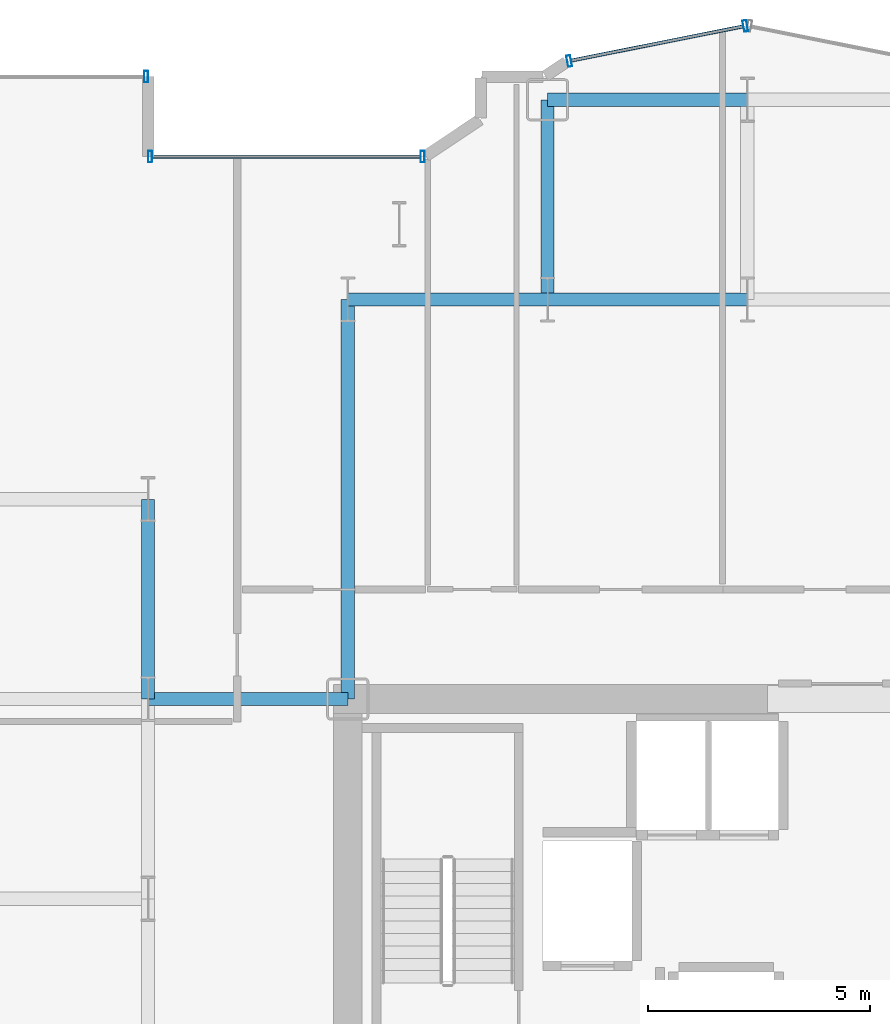
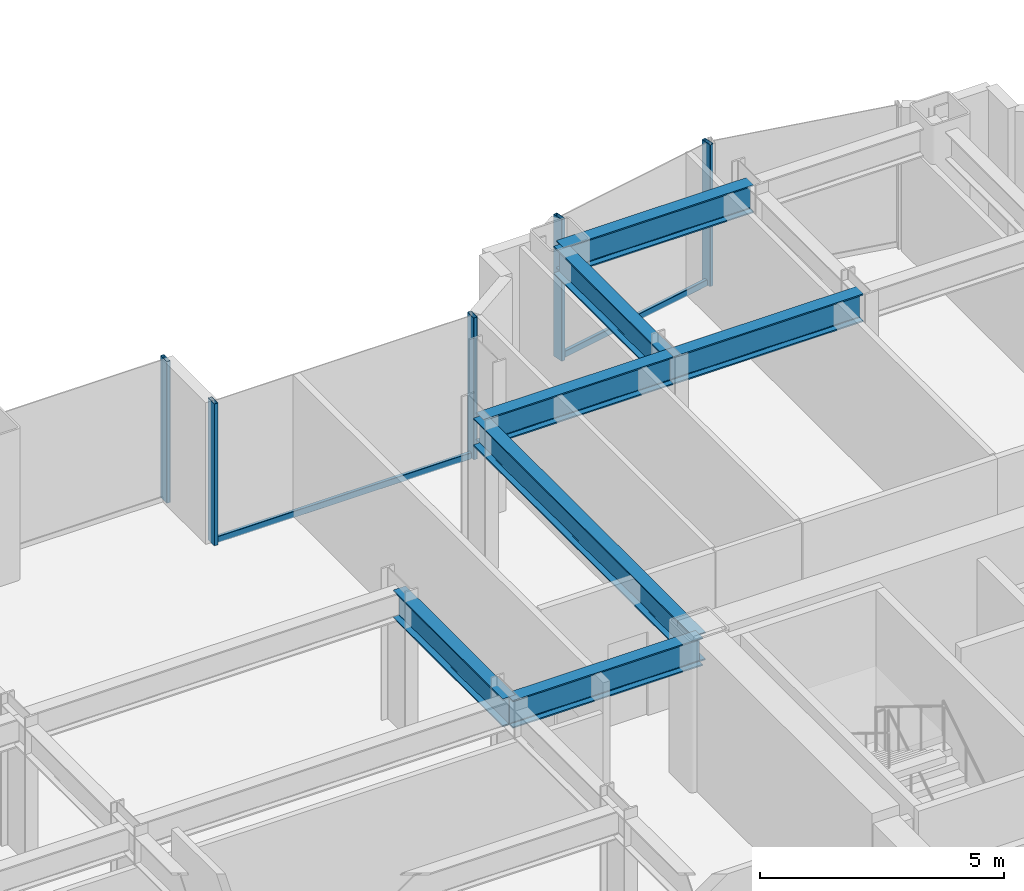
# One storey, part 10 of 26: 7 beams, 7 members, 3 elements without a shape of their own.
"""IFC4 building model written with IfcOpenShell, lengths in metres."""

from ifc_helpers import new_model, si_unit, direction, frame, origin, origin_2d, place, context, subcontext, project, spatial, hollow_rectangle, i_section, extrude, source, transform, mapped, material, layer, layer_set, material_profile, profile_set, type_object, element, aggregate, save


model = new_model("IFC4")

# Units and contexts
model_context = context("Model", 3, precision=1e-05, world=origin(), true_north=direction((0.0, 1.0)))
body_context = subcontext(model_context, "Body", "Model", "MODEL_VIEW")
ifc_project = project(units=[si_unit("LENGTHUNIT", "METRE"), si_unit("AREAUNIT", "SQUARE_METRE"), si_unit("VOLUMEUNIT", "CUBIC_METRE"), si_unit("PLANEANGLEUNIT", "RADIAN"), si_unit("MASSUNIT", "GRAM", prefix="KILO")], contexts=[model_context])

# Site, building, storey
site_placement = place(None, origin())
site = spatial("IfcSite", under=ifc_project, at=site_placement, CompositionType="ELEMENT")
building_placement = place(site_placement, origin())
building = spatial("IfcBuilding", under=site, at=building_placement, Name="Nefas-Gora Pilgrimage Tower", CompositionType="ELEMENT")
storey_placement = place(building_placement, frame((0.0, 0.0, 59.60009765625)))
storey = spatial("IfcBuildingStorey", under=building, at=storey_placement, Name="L13", CompositionType="ELEMENT", Elevation=59.60009765625)

# Beams
ifc_material_1 = material(Name="Steel S355", Category="steel")
ifc_material_profile_1 = material_profile(ifc_material_1, i_section(OverallWidth=0.300048828125, OverallDepth=0.699951171875, WebThickness=0.01708984375, FlangeThickness=0.031982421875, FilletRadius=0.027099609375, at=origin_2d()), Name="HEB 700")
ifc_profile_set_1 = profile_set([ifc_material_profile_1], Name="Steel S355")
beam_type = type_object("IfcBeamType", Name="BM-GIR-HEB700", PredefinedType="BEAM", material=ifc_profile_set_1)
shared_shape_1 = source(origin(), body_context, "Body", "SweptSolid", [
    extrude(i_section(OverallWidth=0.300048828125, OverallDepth=0.699951171875, WebThickness=0.01708984375, FlangeThickness=0.031982421875, FilletRadius=0.027099609375, at=origin_2d()), origin(), (0.0, 0.0, 1.0), 9.0),
])
beam_placement = place(storey_placement, frame((-11.25, 9.0, 3.199951171875), z_axis=(0.0, 1.0, 0.0), x_axis=(-1.0, 0.0, 0.0)))
element("IfcBeam", 1, at=beam_placement, inside=storey, type_object=beam_type, Name="L13 G-02 beam", PredefinedType="BEAM", context=body_context, shape_type="MappedRepresentation", body=[
    mapped(shared_shape_1, transform((0.0, 0.0, 0.0), x_axis=(1.0, 0.0, 0.0), y_axis=(0.0, 1.0, 0.0), z_axis=(0.0, 0.0, 1.0), scale=1.0)),
])
shared_shape_2 = source(origin(), body_context, "Body", "SweptSolid", [
    extrude(i_section(OverallWidth=0.300048828125, OverallDepth=0.699951171875, WebThickness=0.01708984375, FlangeThickness=0.031982421875, FilletRadius=0.027099609375, at=origin_2d()), origin(), (0.0, 0.0, 1.0), 4.5),
])
for number, where, z_axis, x_axis, name in (
    (2, (-15.75, 9.0, 3.199951171875), (0.0, 1.0, 0.0), (-1.0, 0.0, 0.0), "L13 G-02 beam"),
    (3, (-15.75, 9.0, 3.199951171875), (1.0, 0.0, 0.0), (0.0, 1.0, 0.0), "L13 G-02 beam"),
    (4, (-11.25, 18.0, 3.199951171875), (1.0, 0.0, 0.0), (0.0, 1.0, 0.0), "L13 G-02 beam"),
    (5, (-6.75, 18.0, 3.199951171875), (0.0, 1.0, 0.0), (-1.0, 0.0, 0.0), "L13 G-02 beam"),
    (6, (-6.75, 18.0, 3.199951171875), (1.0, 0.0, 0.0), (0.0, 1.0, 0.0), "L13 G-02 beam"),
    (7, (-6.75, 22.5, 3.199951171875), (1.0, 0.0, 0.0), (0.0, 1.0, 0.0), "L13 G-02 beam"),
):
    element("IfcBeam", number, at=place(storey_placement, frame(where, z_axis=z_axis, x_axis=x_axis)), inside=storey, type_object=beam_type, Name=name, PredefinedType="BEAM", context=body_context, shape_type="MappedRepresentation", body=[
        mapped(shared_shape_2, transform((0.0, 0.0, 0.0), x_axis=(1.0, 0.0, 0.0), y_axis=(0.0, 1.0, 0.0), z_axis=(0.0, 0.0, 1.0), scale=1.0)),
    ])

# Curtain wall, member
ifc_material_2 = material(Name="Dark ceramic-fritted solar-control aluminium-glass curtain wall", Category="aluminium")
ifc_layer_1 = layer(ifc_material_2, 0.219970703125)
ifc_layer_set_1 = layer_set([ifc_layer_1], Name="Dark ceramic-fritted solar-control aluminium-glass curtain wall")
curtain_wall_type_1 = type_object("IfcCurtainWallType", Name="CW-SYS-5", PredefinedType="NOTDEFINED", material=ifc_layer_set_1)
curtain_wall_1_placement = place(storey_placement, origin())
curtain_wall_1 = element("IfcCurtainWall", 8, at=curtain_wall_1_placement, inside=storey, type_object=curtain_wall_type_1, Name="L13 Unitised Curtain Wall CW5", PredefinedType="NOTDEFINED")
ifc_material_3 = material(Name="Anodised architectural aluminium", Category="aluminium")
ifc_material_profile_2 = material_profile(ifc_material_3, hollow_rectangle(XDim=0.080078125, YDim=0.159912109375, WallThickness=0.00439453125, InnerFilletRadius=0.00439453125, OuterFilletRadius=0.009033203125, at=origin_2d()), Name="ALU TRANSOM 80x160")
ifc_profile_set_2 = profile_set([ifc_material_profile_2], Name="Anodised architectural aluminium")
member_type_1 = type_object("IfcMemberType", Name="CWM-TRN-5", PredefinedType="USERDEFINED", material=ifc_profile_set_2)
shared_shape_3 = source(origin(), body_context, "Body", "SweptSolid", [
    extrude(hollow_rectangle(XDim=0.080078125, YDim=0.159912109375, WallThickness=0.00439453125, InnerFilletRadius=0.00439453125, OuterFilletRadius=0.009033203125, at=origin_2d()), origin(), (0.0, 0.0, 1.0), 6.052001953125),
])
member_1_placement = place(storey_placement, frame((-9.60791015625, 21.219970703125, 0.0498046875), z_axis=(-1.0, 0.0, 0.0), x_axis=(0.0, -1.0, 0.0)))
member_1 = element("IfcMember", 9, at=member_1_placement, type_object=member_type_1, Name="CW5 Spandrel Transom", ObjectType="TRANSOM", PredefinedType="USERDEFINED", context=body_context, shape_type="MappedRepresentation", body=[
    mapped(shared_shape_3, transform((0.0, 0.0, 0.0), x_axis=(1.0, 0.0, 0.0), y_axis=(0.0, 1.0, 0.0), z_axis=(0.0, 0.0, 1.0), scale=1.0)),
])

# Curtain wall, members
curtain_wall_2_placement = place(storey_placement, origin())
curtain_wall_2 = element("IfcCurtainWall", 10, at=curtain_wall_2_placement, inside=storey, type_object=curtain_wall_type_1, Name="L13 Unitised Curtain Wall CW5", PredefinedType="NOTDEFINED")
shared_shape_4 = source(origin(), body_context, "Body", "SweptSolid", [
    extrude(hollow_rectangle(XDim=0.080078125, YDim=0.159912109375, WallThickness=0.00439453125, InnerFilletRadius=0.00439453125, OuterFilletRadius=0.009033203125, at=origin_2d()), origin(), (0.0, 0.0, 1.0), 3.95654296875),
])
member_2_placement = place(storey_placement, frame((-2.33837890625, 24.15478515625, 0.0498046875), z_axis=(-0.980781880918, -0.195107411605, 0.0), x_axis=(0.195107411605, -0.980781880918, 0.0)))
member_2 = element("IfcMember", 11, at=member_2_placement, type_object=member_type_1, Name="CW5 Spandrel Transom", ObjectType="TRANSOM", PredefinedType="USERDEFINED", context=body_context, shape_type="MappedRepresentation", body=[
    mapped(shared_shape_4, transform((0.0, 0.0, 0.0), x_axis=(1.0, 0.0, 0.0), y_axis=(0.0, 1.0, 0.0), z_axis=(0.0, 0.0, 1.0), scale=1.0)),
])
ifc_material_profile_3 = material_profile(ifc_material_3, hollow_rectangle(XDim=0.090087890625, YDim=0.260009765625, WallThickness=0.006103515625, InnerFilletRadius=0.006103515625, OuterFilletRadius=0.011962890625, at=origin_2d()), Name="ALU MULLION 90x260")
ifc_profile_set_3 = profile_set([ifc_material_profile_3], Name="Anodised architectural aluminium")
member_type_2 = type_object("IfcMemberType", Name="CWM-MUL-5", PredefinedType="MULLION", material=ifc_profile_set_3)
shared_shape_5 = source(origin(), body_context, "Body", "SweptSolid", [
    extrude(hollow_rectangle(XDim=0.090087890625, YDim=0.260009765625, WallThickness=0.006103515625, InnerFilletRadius=0.006103515625, OuterFilletRadius=0.011962890625, at=origin_2d()), origin(), (0.0, 0.0, 1.0), 3.5498046875),
])
member_3_placement = place(storey_placement, frame((-2.294189453125, 24.16357421875, 0.0), z_axis=(0.0, 0.0, 1.0), x_axis=(-0.980782896852, -0.195102304554, 0.0)))
member_3 = element("IfcMember", 12, at=member_3_placement, type_object=member_type_2, Name="CW5 Mullion 1", PredefinedType="MULLION", context=body_context, shape_type="MappedRepresentation", body=[
    mapped(shared_shape_5, transform((0.0, 0.0, 0.0), x_axis=(1.0, 0.0, 0.0), y_axis=(0.0, 1.0, 0.0), z_axis=(0.0, 0.0, 1.0), scale=1.0)),
])
member_4_placement = place(storey_placement, frame((-6.26318359375, 23.3740234375, 0.0), z_axis=(0.0, 0.0, 1.0), x_axis=(-0.980782896852, -0.195102304554, 0.0)))
member_4 = element("IfcMember", 13, at=member_4_placement, type_object=member_type_2, Name="CW5 Mullion 2", PredefinedType="MULLION", context=body_context, shape_type="MappedRepresentation", body=[
    mapped(shared_shape_5, transform((0.0, 0.0, 0.0), x_axis=(1.0, 0.0, 0.0), y_axis=(0.0, 1.0, 0.0), z_axis=(0.0, 0.0, 1.0), scale=1.0)),
])
aggregate(curtain_wall_2, [member_3, member_4, member_2])

# Member
member_5_placement = place(storey_placement, frame((-9.56298828125, 21.219970703125, 0.0), z_axis=(0.0, 0.0, 1.0), x_axis=(-1.0, 0.0, 0.0)))
member_5 = element("IfcMember", 14, at=member_5_placement, type_object=member_type_2, Name="CW5 Mullion 1", PredefinedType="MULLION", context=body_context, shape_type="MappedRepresentation", body=[
    mapped(shared_shape_5, transform((0.0, 0.0, 0.0), x_axis=(1.0, 0.0, 0.0), y_axis=(0.0, 1.0, 0.0), z_axis=(0.0, 0.0, 1.0), scale=1.0)),
])

member_6_placement = place(storey_placement, frame((-15.705078125, 21.219970703125, 0.0), z_axis=(0.0, 0.0, 1.0), x_axis=(-1.0, 0.0, 0.0)))
member_6 = element("IfcMember", 15, at=member_6_placement, type_object=member_type_2, Name="CW5 Mullion 2", PredefinedType="MULLION", context=body_context, shape_type="MappedRepresentation", body=[
    mapped(shared_shape_5, transform((0.0, 0.0, 0.0), x_axis=(1.0, 0.0, 0.0), y_axis=(0.0, 1.0, 0.0), z_axis=(0.0, 0.0, 1.0), scale=1.0)),
])

aggregate(curtain_wall_1, [member_5, member_6, member_1])

# Curtain wall, member
ifc_layer_2 = layer(ifc_material_2, 0.219970703125)
ifc_layer_set_2 = layer_set([ifc_layer_2], Name="Dark ceramic-fritted solar-control aluminium-glass curtain wall")
curtain_wall_type_2 = type_object("IfcCurtainWallType", Name="CW-SYS-2", PredefinedType="NOTDEFINED", material=ifc_layer_set_2)
curtain_wall_3_placement = place(storey_placement, origin())
curtain_wall_3 = element("IfcCurtainWall", 16, at=curtain_wall_3_placement, inside=storey, type_object=curtain_wall_type_2, Name="L13 Unitised Curtain Wall CW2", PredefinedType="NOTDEFINED")
ifc_material_profile_4 = material_profile(ifc_material_3, hollow_rectangle(XDim=0.090087890625, YDim=0.260009765625, WallThickness=0.006103515625, InnerFilletRadius=0.006103515625, OuterFilletRadius=0.011962890625, at=origin_2d()), Name="ALU MULLION 90x260")
ifc_profile_set_4 = profile_set([ifc_material_profile_4], Name="Anodised architectural aluminium")
member_type_3 = type_object("IfcMemberType", Name="CWM-MUL-2", PredefinedType="MULLION", material=ifc_profile_set_4)
shared_shape_6 = source(origin(), body_context, "Body", "SweptSolid", [
    extrude(hollow_rectangle(XDim=0.090087890625, YDim=0.260009765625, WallThickness=0.006103515625, InnerFilletRadius=0.006103515625, OuterFilletRadius=0.011962890625, at=origin_2d()), origin(), (0.0, 0.0, 1.0), 3.5498046875),
])
member_7_placement = place(storey_placement, frame((-15.794921875, 23.02001953125, 0.0), z_axis=(0.0, 0.0, 1.0), x_axis=(-1.0, 0.0, 0.0)))
member_7 = element("IfcMember", 17, at=member_7_placement, type_object=member_type_3, Name="CW2 Mullion 1", PredefinedType="MULLION", context=body_context, shape_type="MappedRepresentation", body=[
    mapped(shared_shape_6, transform((0.0, 0.0, 0.0), x_axis=(1.0, 0.0, 0.0), y_axis=(0.0, 1.0, 0.0), z_axis=(0.0, 0.0, 1.0), scale=1.0)),
])
aggregate(curtain_wall_3, [member_7])

save(model, "model.ifc")
